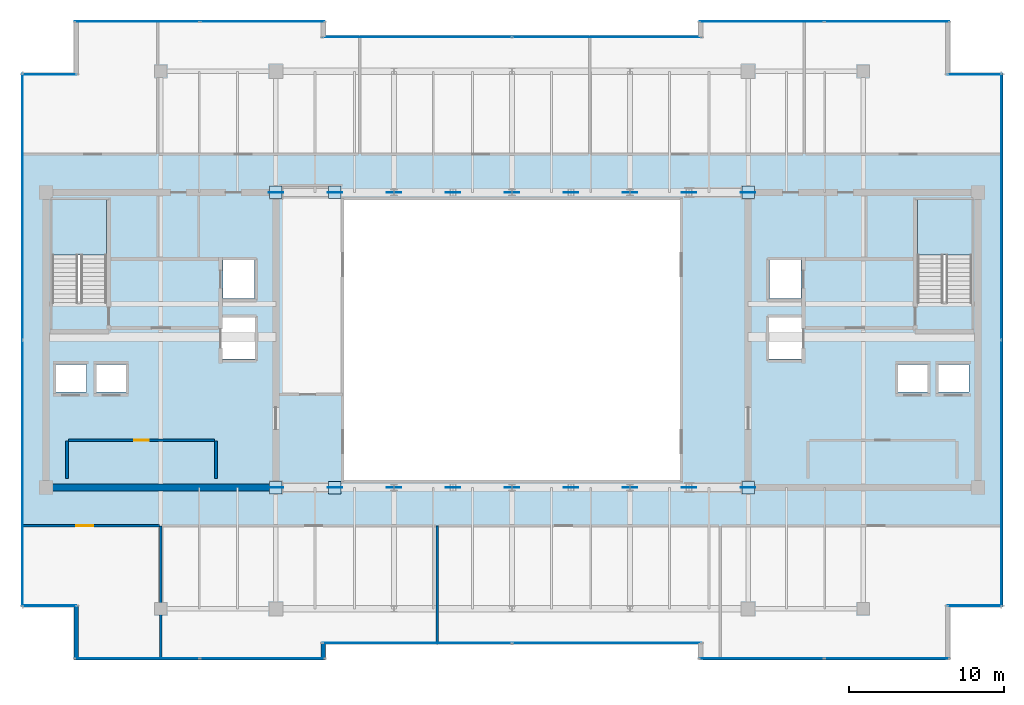
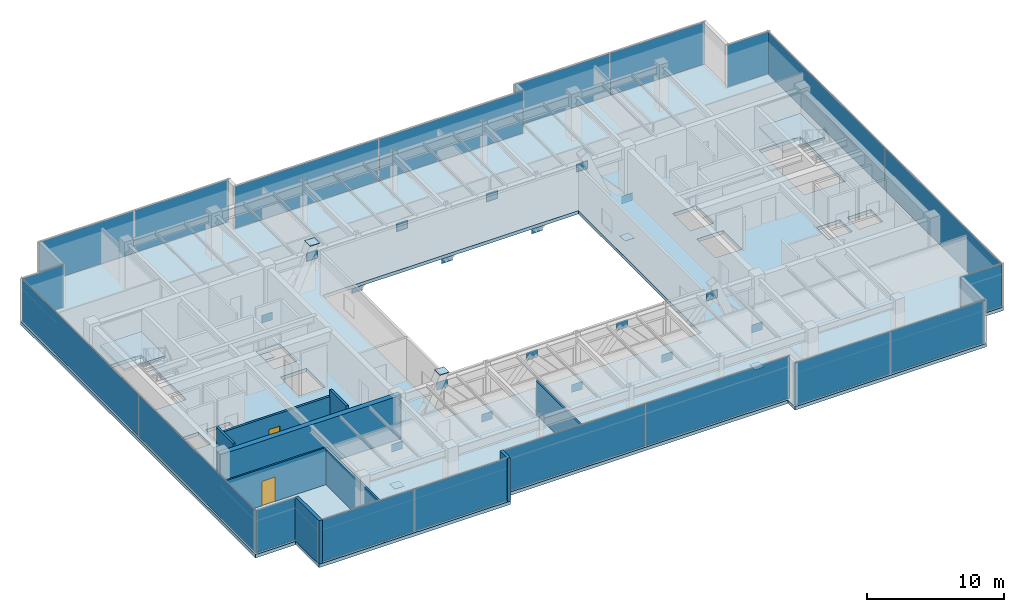
# One storey, part 25 of 32: 44 plates, 9 walls, 3 slabs, 2 doors, 2 openings, 14 elements without a shape of their own.
"""IFC4 building model written with IfcOpenShell, lengths in metres."""

from ifc_helpers import new_model, si_unit, direction, frame, frame_2d, origin, origin_2d, place, context, subcontext, project, spatial, polyline, rectangle, outline, extrude, source, transform, mapped, material, layer, layer_set, type_object, type_shapes, element, fill, aggregate, save


model = new_model("IFC4")

# Units and contexts
model_context = context("Model", 3, precision=1e-05, world=origin(), true_north=direction((0.0, 1.0)))
body_context = subcontext(model_context, "Body", "Model", "MODEL_VIEW")
ifc_project = project(units=[si_unit("LENGTHUNIT", "METRE"), si_unit("AREAUNIT", "SQUARE_METRE"), si_unit("VOLUMEUNIT", "CUBIC_METRE"), si_unit("PLANEANGLEUNIT", "RADIAN"), si_unit("MASSUNIT", "GRAM", prefix="KILO")], contexts=[model_context])

# Site, building, storey
site_placement = place(None, origin())
site = spatial("IfcSite", under=ifc_project, at=site_placement, CompositionType="ELEMENT")
building_placement = place(site_placement, origin())
building = spatial("IfcBuilding", under=site, at=building_placement, Name="Haelvirn Gate Laboratories", CompositionType="ELEMENT")
storey_placement = place(building_placement, frame((0.0, 0.0, 301.800048828125)))
storey = spatial("IfcBuildingStorey", under=building, at=storey_placement, Name="L72", CompositionType="ELEMENT", Elevation=301.800048828125)

# Stair, slab
ifc_material_1 = material(Name="Concrete C40/50", Category="concrete")
stair_type = type_object("IfcStairType", Name="ST-DOG-1650-R24", PredefinedType="HALF_TURN_STAIR", material=ifc_material_1)
stair_1_placement = place(storey_placement, origin())
stair_1 = element("IfcStair", 1, at=stair_1_placement, inside=storey, type_object=stair_type, Name="L72 Escape Stair ST1", PredefinedType="HALF_TURN_STAIR")
ifc_layer_1 = layer(ifc_material_1, 0.199951171875, Name="SL-STAIR-LND")
ifc_layer_set_1 = layer_set([ifc_layer_1], Name="Concrete C40/50")
slab_type_1 = type_object("IfcSlabType", Name="SL-STAIR-LND", PredefinedType="LANDING", material=ifc_layer_set_1)
slab_1_placement = place(storey_placement, frame((0.0, 0.0, 1.89990234375)))
slab_1 = element("IfcSlab", 2, at=slab_1_placement, type_object=slab_type_1, Name="ST1 landing 1", PredefinedType="LANDING", context=body_context, shape_type="SweptSolid", body=[
    extrude(outline(polyline([(11.300048828125, 29.780029296875), (11.300048828125, 33.35009765625), (7.800048828125, 33.35009765625), (7.800048828125, 29.780029296875), (11.300048828125, 29.780029296875)])), origin(), (0.0, 0.0, 1.0), 0.199951171875),
])
aggregate(stair_1, [slab_1])

stair_2_placement = place(storey_placement, origin())
stair_2 = element("IfcStair", 3, at=stair_2_placement, inside=storey, type_object=stair_type, Name="L72 Escape Stair ST2", PredefinedType="HALF_TURN_STAIR")
slab_2_placement = place(storey_placement, frame((0.0, 0.0, 1.89990234375)))
slab_2 = element("IfcSlab", 4, at=slab_2_placement, type_object=slab_type_1, Name="ST2 landing 1", PredefinedType="LANDING", context=body_context, shape_type="SweptSolid", body=[
    extrude(outline(polyline([(67.0, 29.780029296875), (67.0, 33.35009765625), (63.5, 33.35009765625), (63.5, 29.780029296875), (67.0, 29.780029296875)])), origin(), (0.0, 0.0, 1.0), 0.199951171875),
])
aggregate(stair_2, [slab_2])

# Slab
ifc_layer_2 = layer(ifc_material_1, 0.300048828125, Name="SL-Z3-300")
ifc_layer_set_2 = layer_set([ifc_layer_2], Name="Concrete C40/50")
slab_type_2 = type_object("IfcSlabType", Name="SL-Z3-300", PredefinedType="FLOOR", material=ifc_layer_set_2)
slab_3_placement = place(storey_placement, frame((0.0, 0.0, -0.300048828125)))
element("IfcSlab", 5, at=slab_3_placement, inside=storey, type_object=slab_type_2, Name="L72 Structural Slab MAIN", PredefinedType="FLOOR", context=body_context, shape_type="SweptSolid", body=[
    extrude(outline(polyline([(9.199951171875, 3.699951171875), (25.39990234375, 3.699951171875), (25.39990234375, 4.699951171875), (49.39990234375, 4.699951171875), (49.39990234375, 3.699951171875), (65.60009765625, 3.699951171875), (65.60009765625, 7.10009765625), (69.0, 7.10009765625), (69.0, 41.5), (65.60009765625, 41.5), (65.60009765625, 44.89990234375), (49.39990234375, 44.89990234375), (49.39990234375, 43.89990234375), (25.39990234375, 43.89990234375), (25.39990234375, 44.89990234375), (9.199951171875, 44.89990234375), (9.199951171875, 41.5), (5.800048828125, 41.5), (5.800048828125, 7.10009765625), (9.199951171875, 7.10009765625), (9.199951171875, 3.699951171875)]), holes=[polyline([(26.60009765625, 15.300048828125), (48.199951171875, 15.300048828125), (48.199951171875, 33.300048828125), (26.60009765625, 33.300048828125), (26.60009765625, 15.300048828125)]), polyline([(11.300048828125, 26.780029296875), (11.300048828125, 33.35009765625), (7.800048828125, 33.35009765625), (7.800048828125, 26.780029296875), (11.300048828125, 26.780029296875)]), polyline([(67.0, 26.780029296875), (67.0, 33.35009765625), (63.5, 33.35009765625), (63.5, 26.780029296875), (67.0, 26.780029296875)]), polyline([(7.989990234375, 20.969970703125), (10.010009765625, 20.969970703125), (10.010009765625, 22.7099609375), (7.989990234375, 22.7099609375), (7.989990234375, 20.969970703125)]), polyline([(10.590087890625, 20.969970703125), (12.610107421875, 20.969970703125), (12.610107421875, 22.7099609375), (10.590087890625, 22.7099609375), (10.590087890625, 20.969970703125)]), polyline([(18.7900390625, 26.969970703125), (20.81005859375, 26.969970703125), (20.81005859375, 29.510009765625), (18.7900390625, 29.510009765625), (18.7900390625, 26.969970703125)]), polyline([(18.68994140625, 23.070068359375), (20.909912109375, 23.070068359375), (20.909912109375, 25.81005859375), (18.68994140625, 25.81005859375), (18.68994140625, 23.070068359375)]), polyline([(64.7900390625, 20.969970703125), (66.81005859375, 20.969970703125), (66.81005859375, 22.7099609375), (64.7900390625, 22.7099609375), (64.7900390625, 20.969970703125)]), polyline([(62.18994140625, 20.969970703125), (64.2099609375, 20.969970703125), (64.2099609375, 22.7099609375), (62.18994140625, 22.7099609375), (62.18994140625, 20.969970703125)]), polyline([(53.989990234375, 26.969970703125), (56.010009765625, 26.969970703125), (56.010009765625, 29.510009765625), (53.989990234375, 29.510009765625), (53.989990234375, 26.969970703125)]), polyline([(53.889892578125, 23.070068359375), (56.110107421875, 23.070068359375), (56.110107421875, 25.81005859375), (53.889892578125, 25.81005859375), (53.889892578125, 23.070068359375)])]), origin(), (0.0, 0.0, 1.0), 0.300048828125),
])

# Plates
ifc_material_2 = material(Name="Steel SM420", Category="steel")
ifc_layer_3 = layer(ifc_material_2, 0.033935546875, Name="PL-NODE-AN2")
ifc_layer_set_3 = layer_set([ifc_layer_3], Name="Steel SM420")
plate_type_1 = type_object("IfcPlateType", Name="PL-NODE-AN2", PredefinedType="USERDEFINED", material=ifc_layer_set_3)
shared_shape_1 = source(origin(), body_context, "Body", "SweptSolid", [
    extrude(rectangle(XDim=0.919921875, YDim=0.033935546875, at=origin_2d()), origin(), (0.0, 0.0, 1.0), 0.699951171875),
])
type_shapes(plate_type_1, [shared_shape_1])
for number, where, z_axis, x_axis, name in (
    (6, (22.199951171875, 14.800048828125, -1.10009765625), (0.0, 0.0, 1.0), (1.0, 0.0, 0.0), "L72 Steel Truss Node Plate AN2"),
    (7, (26.0, 14.800048828125, 3.10009765625), (0.0, 0.0, 1.0), (1.0, 0.0, 0.0), "L72 Steel Truss Node Plate AN2"),
    (8, (29.800048828125, 14.800048828125, -1.10009765625), (0.0, 0.0, 1.0), (1.0, 0.0, 0.0), "L72 Steel Truss Node Plate AN2"),
    (9, (33.60009765625, 14.800048828125, 3.10009765625), (0.0, 0.0, 1.0), (1.0, 0.0, 0.0), "L72 Steel Truss Node Plate AN2"),
    (10, (37.39990234375, 14.800048828125, -1.10009765625), (0.0, 0.0, 1.0), (1.0, 0.0, 0.0), "L72 Steel Truss Node Plate AN2"),
    (11, (41.199951171875, 14.800048828125, 3.10009765625), (0.0, 0.0, 1.0), (1.0, 0.0, 0.0), "L72 Steel Truss Node Plate AN2"),
    (12, (45.0, 14.800048828125, -1.10009765625), (0.0, 0.0, 1.0), (1.0, 0.0, 0.0), "L72 Steel Truss Node Plate AN2"),
    (13, (48.800048828125, 14.800048828125, 3.10009765625), (0.0, 0.0, 1.0), (1.0, 0.0, 0.0), "L72 Steel Truss Node Plate AN2"),
    (14, (52.60009765625, 14.800048828125, -1.10009765625), (0.0, 0.0, 1.0), (1.0, 0.0, 0.0), "L72 Steel Truss Node Plate AN2"),
    (15, (22.199951171875, 33.800048828125, -1.10009765625), (0.0, 0.0, 1.0), (1.0, 0.0, 0.0), "L72 Steel Truss Node Plate AN2"),
    (16, (26.0, 33.800048828125, 3.10009765625), (0.0, 0.0, 1.0), (1.0, 0.0, 0.0), "L72 Steel Truss Node Plate AN2"),
    (17, (29.800048828125, 33.800048828125, -1.10009765625), (0.0, 0.0, 1.0), (1.0, 0.0, 0.0), "L72 Steel Truss Node Plate AN2"),
    (18, (33.60009765625, 33.800048828125, 3.10009765625), (0.0, 0.0, 1.0), (1.0, 0.0, 0.0), "L72 Steel Truss Node Plate AN2"),
    (19, (37.39990234375, 33.800048828125, -1.10009765625), (0.0, 0.0, 1.0), (1.0, 0.0, 0.0), "L72 Steel Truss Node Plate AN2"),
    (20, (41.199951171875, 33.800048828125, 3.10009765625), (0.0, 0.0, 1.0), (1.0, 0.0, 0.0), "L72 Steel Truss Node Plate AN2"),
    (21, (45.0, 33.800048828125, -1.10009765625), (0.0, 0.0, 1.0), (1.0, 0.0, 0.0), "L72 Steel Truss Node Plate AN2"),
    (22, (48.800048828125, 33.800048828125, 3.10009765625), (0.0, 0.0, 1.0), (1.0, 0.0, 0.0), "L72 Steel Truss Node Plate AN2"),
    (23, (52.60009765625, 33.800048828125, -1.10009765625), (0.0, 0.0, 1.0), (1.0, 0.0, 0.0), "L72 Steel Truss Node Plate AN2"),
):
    element("IfcPlate", number, at=place(storey_placement, frame(where, z_axis=z_axis, x_axis=x_axis)), inside=storey, type_object=plate_type_1, Name=name, ObjectType="GUSSET_PLATE", PredefinedType="USERDEFINED", context=body_context, shape_type="MappedRepresentation", body=[
        mapped(shared_shape_1, transform((0.0, 0.0, 0.0), scale=1.0)),
    ])
ifc_layer_4 = layer(ifc_material_2, 0.035888671875, Name="PL-NODE-AN1")
ifc_layer_set_4 = layer_set([ifc_layer_4], Name="Steel SM420")
plate_type_2 = type_object("IfcPlateType", Name="PL-NODE-AN1", PredefinedType="SHEET", material=ifc_layer_set_4)
shared_shape_2 = source(origin(), body_context, "Body", "SweptSolid", [
    extrude(rectangle(XDim=0.800048828125, YDim=0.800048828125, at=origin_2d()), origin(), (0.0, 0.0, 1.0), 0.035888671875),
])
type_shapes(plate_type_2, [shared_shape_2])
for number, where, z_axis, x_axis, name in (
    (24, (22.199951171875, 14.800048828125, -4.2177734375), (0.0, 0.0, 1.0), (1.0, 0.0, 0.0), "L72 Steel Truss Node Plate AN1"),
    (25, (26.0, 14.800048828125, 4.6416015625), (0.0, 0.0, 1.0), (1.0, 0.0, 0.0), "L72 Steel Truss Node Plate AN1"),
    (26, (52.60009765625, 14.800048828125, -4.2177734375), (0.0, 0.0, 1.0), (1.0, 0.0, 0.0), "L72 Steel Truss Node Plate AN1"),
    (27, (22.199951171875, 33.800048828125, -4.2177734375), (0.0, 0.0, 1.0), (1.0, 0.0, 0.0), "L72 Steel Truss Node Plate AN1"),
    (28, (26.0, 33.800048828125, 4.6416015625), (0.0, 0.0, 1.0), (1.0, 0.0, 0.0), "L72 Steel Truss Node Plate AN1"),
    (29, (52.60009765625, 33.800048828125, -4.2177734375), (0.0, 0.0, 1.0), (1.0, 0.0, 0.0), "L72 Steel Truss Node Plate AN1"),
):
    element("IfcPlate", number, at=place(storey_placement, frame(where, z_axis=z_axis, x_axis=x_axis)), inside=storey, type_object=plate_type_2, Name=name, PredefinedType="SHEET", context=body_context, shape_type="MappedRepresentation", body=[
        mapped(shared_shape_2, transform((0.0, 0.0, 0.0), scale=1.0)),
    ])

# Curtain wall, plates
ifc_material_3 = material(Name="Anodised bronze unitised aluminium & triple low-E glass", Category="aluminium")
ifc_layer_5 = layer(ifc_material_3, 0.176025390625, Name="CW-SYS-4")
ifc_layer_set_5 = layer_set([ifc_layer_5], Name="Anodised bronze unitised aluminium & triple low-E glass")
curtain_wall_type_1 = type_object("IfcCurtainWallType", Name="CW-SYS-4", PredefinedType="NOTDEFINED", material=ifc_layer_set_5)
curtain_wall_1_placement = place(storey_placement, origin())
curtain_wall_1 = element("IfcCurtainWall", 30, at=curtain_wall_1_placement, inside=storey, type_object=curtain_wall_type_1, Name="L72 Unitised Curtain Wall CW-L72-P0-E02-1", PredefinedType="NOTDEFINED")
ifc_material_4 = material(Name="Acoustic laminated bronze triple IGU 36 mm", Category="glass")
ifc_layer_6 = layer(ifc_material_4, 0.035888671875, Name="CWP-IGU-36")
ifc_layer_set_6 = layer_set([ifc_layer_6], Name="Acoustic laminated bronze triple IGU 36 mm")
plate_type_3 = type_object("IfcPlateType", Name="CWP-IGU-36", PredefinedType="CURTAIN_PANEL", material=ifc_layer_set_6)
shared_shape_3 = source(origin(), body_context, "Body", "SweptSolid", [
    extrude(rectangle(XDim=12.135009765625, YDim=0.035888671875, at=origin_2d()), origin(), (0.0, 0.0, 1.0), 3.77001953125),
])
plate_1_placement = place(storey_placement, frame((31.297607421875, 4.800048828125, 0.06494140625), z_axis=(0.0, 0.0, 1.0), x_axis=(1.0, 0.0, 0.0)))
plate_1 = element("IfcPlate", 31, at=plate_1_placement, type_object=plate_type_3, Name="CW4 panel 1.1", PredefinedType="CURTAIN_PANEL", context=body_context, shape_type="MappedRepresentation", body=[
    mapped(shared_shape_3, transform((0.0, 0.0, 0.0), scale=1.0)),
])
plate_2_placement = place(storey_placement, frame((43.50244140625, 4.800048828125, 0.06494140625), z_axis=(0.0, 0.0, 1.0), x_axis=(1.0, 0.0, 0.0)))
plate_2 = element("IfcPlate", 32, at=plate_2_placement, type_object=plate_type_3, Name="CW4 panel 2.1", PredefinedType="CURTAIN_PANEL", context=body_context, shape_type="MappedRepresentation", body=[
    mapped(shared_shape_3, transform((0.0, 0.0, 0.0), scale=1.0)),
])
aggregate(curtain_wall_1, [plate_1, plate_2])

curtain_wall_2_placement = place(storey_placement, origin())
curtain_wall_2 = element("IfcCurtainWall", 33, at=curtain_wall_2_placement, inside=storey, type_object=curtain_wall_type_1, Name="L72 Unitised Curtain Wall CW-L72-P0-E12-1", PredefinedType="NOTDEFINED")
plate_3_placement = place(storey_placement, frame((31.297607421875, 43.800048828125, 0.06494140625), z_axis=(0.0, 0.0, 1.0), x_axis=(1.0, 0.0, 0.0)))
plate_3 = element("IfcPlate", 34, at=plate_3_placement, type_object=plate_type_3, Name="CW4 panel 1.1", PredefinedType="CURTAIN_PANEL", context=body_context, shape_type="MappedRepresentation", body=[
    mapped(shared_shape_3, transform((0.0, 0.0, 0.0), scale=1.0)),
])
plate_4_placement = place(storey_placement, frame((43.50244140625, 43.800048828125, 0.06494140625), z_axis=(0.0, 0.0, 1.0), x_axis=(1.0, 0.0, 0.0)))
plate_4 = element("IfcPlate", 35, at=plate_4_placement, type_object=plate_type_3, Name="CW4 panel 2.1", PredefinedType="CURTAIN_PANEL", context=body_context, shape_type="MappedRepresentation", body=[
    mapped(shared_shape_3, transform((0.0, 0.0, 0.0), scale=1.0)),
])
aggregate(curtain_wall_2, [plate_3, plate_4])

# Curtain wall, plate
ifc_layer_7 = layer(ifc_material_3, 0.181884765625, Name="CW-SYS-5")
ifc_layer_set_7 = layer_set([ifc_layer_7], Name="Anodised bronze unitised aluminium & triple low-E glass")
curtain_wall_type_2 = type_object("IfcCurtainWallType", Name="CW-SYS-5", PredefinedType="NOTDEFINED", material=ifc_layer_set_7)
curtain_wall_3_placement = place(storey_placement, origin())
curtain_wall_3 = element("IfcCurtainWall", 36, at=curtain_wall_3_placement, inside=storey, type_object=curtain_wall_type_2, Name="L72 Unitised Curtain Wall CW-L72-P0-E06-1", PredefinedType="NOTDEFINED")
ifc_material_5 = material(Name="Clear low-iron notched-corner triple IGU 42 mm", Category="glass")
ifc_layer_8 = layer(ifc_material_5, 0.0419921875, Name="CWP-NTC-42")
ifc_layer_set_8 = layer_set([ifc_layer_8], Name="Clear low-iron notched-corner triple IGU 42 mm")
plate_type_4 = type_object("IfcPlateType", Name="CWP-NTC-42", PredefinedType="CURTAIN_PANEL", material=ifc_layer_set_8)
shared_shape_4 = source(origin(), body_context, "Body", "SweptSolid", [
    extrude(rectangle(XDim=3.47998046875, YDim=0.0419921875, at=origin_2d()), origin(), (0.0, 0.0, 1.0), 3.77001953125),
])
type_shapes(plate_type_4, [shared_shape_4])
plate_5_placement = place(storey_placement, frame((67.179931640625, 7.199951171875, 0.06494140625), z_axis=(0.0, 0.0, 1.0), x_axis=(1.0, 0.0, 0.0)))
plate_5 = element("IfcPlate", 37, at=plate_5_placement, type_object=plate_type_4, Name="CW5 panel 1.1", PredefinedType="CURTAIN_PANEL", context=body_context, shape_type="MappedRepresentation", body=[
    mapped(shared_shape_4, transform((0.0, 0.0, 0.0), scale=1.0)),
])
aggregate(curtain_wall_3, [plate_5])

curtain_wall_4_placement = place(storey_placement, origin())
curtain_wall_4 = element("IfcCurtainWall", 38, at=curtain_wall_4_placement, inside=storey, type_object=curtain_wall_type_2, Name="L72 Unitised Curtain Wall CW-L72-P0-E08-1", PredefinedType="NOTDEFINED")
plate_6_placement = place(storey_placement, frame((67.179931640625, 41.39990234375, 0.06494140625), z_axis=(0.0, 0.0, 1.0), x_axis=(1.0, 0.0, 0.0)))
plate_6 = element("IfcPlate", 39, at=plate_6_placement, type_object=plate_type_4, Name="CW5 panel 1.1", PredefinedType="CURTAIN_PANEL", context=body_context, shape_type="MappedRepresentation", body=[
    mapped(shared_shape_4, transform((0.0, 0.0, 0.0), scale=1.0)),
])
aggregate(curtain_wall_4, [plate_6])

curtain_wall_5_placement = place(storey_placement, origin())
curtain_wall_5 = element("IfcCurtainWall", 40, at=curtain_wall_5_placement, inside=storey, type_object=curtain_wall_type_2, Name="L72 Unitised Curtain Wall CW-L72-P0-E16-1", PredefinedType="NOTDEFINED")
plate_7_placement = place(storey_placement, frame((7.6201171875, 41.39990234375, 0.06494140625), z_axis=(0.0, 0.0, 1.0), x_axis=(1.0, 0.0, 0.0)))
plate_7 = element("IfcPlate", 41, at=plate_7_placement, type_object=plate_type_4, Name="CW5 panel 1.1", PredefinedType="CURTAIN_PANEL", context=body_context, shape_type="MappedRepresentation", body=[
    mapped(shared_shape_4, transform((0.0, 0.0, 0.0), scale=1.0)),
])
aggregate(curtain_wall_5, [plate_7])

curtain_wall_6_placement = place(storey_placement, origin())
curtain_wall_6 = element("IfcCurtainWall", 42, at=curtain_wall_6_placement, inside=storey, type_object=curtain_wall_type_2, Name="L72 Unitised Curtain Wall CW-L72-P0-E18-1", PredefinedType="NOTDEFINED")
plate_8_placement = place(storey_placement, frame((7.6201171875, 7.199951171875, 0.06494140625), z_axis=(0.0, 0.0, 1.0), x_axis=(1.0, 0.0, 0.0)))
plate_8 = element("IfcPlate", 43, at=plate_8_placement, type_object=plate_type_4, Name="CW5 panel 1.1", PredefinedType="CURTAIN_PANEL", context=body_context, shape_type="MappedRepresentation", body=[
    mapped(shared_shape_4, transform((0.0, 0.0, 0.0), scale=1.0)),
])
aggregate(curtain_wall_6, [plate_8])

# Curtain wall, plates
curtain_wall_7_placement = place(storey_placement, origin())
curtain_wall_7 = element("IfcCurtainWall", 44, at=curtain_wall_7_placement, inside=storey, type_object=curtain_wall_type_1, Name="L72 Unitised Curtain Wall CW-L72-P0-E07", PredefinedType="NOTDEFINED")
shared_shape_5 = source(origin(), body_context, "Body", "SweptSolid", [
    extrude(rectangle(XDim=17.094970703125, YDim=0.035888671875, at=origin_2d()), origin(), (0.0, 0.0, 1.0), 3.77001953125),
])
plate_9_placement = place(storey_placement, frame((68.89990234375, 15.717529296875, 0.06494140625), z_axis=(0.0, 0.0, 1.0), x_axis=(0.0, 1.0, 0.0)))
plate_9 = element("IfcPlate", 45, at=plate_9_placement, type_object=plate_type_3, Name="CW4 panel 1.1", PredefinedType="CURTAIN_PANEL", context=body_context, shape_type="MappedRepresentation", body=[
    mapped(shared_shape_5, transform((0.0, 0.0, 0.0), scale=1.0)),
])
plate_10_placement = place(storey_placement, frame((68.89990234375, 32.882568359375, 0.06494140625), z_axis=(0.0, 0.0, 1.0), x_axis=(0.0, 1.0, 0.0)))
plate_10 = element("IfcPlate", 46, at=plate_10_placement, type_object=plate_type_3, Name="CW4 panel 2.1", PredefinedType="CURTAIN_PANEL", context=body_context, shape_type="MappedRepresentation", body=[
    mapped(shared_shape_5, transform((0.0, 0.0, 0.0), scale=1.0)),
])
aggregate(curtain_wall_7, [plate_9, plate_10])

curtain_wall_8_placement = place(storey_placement, origin())
curtain_wall_8 = element("IfcCurtainWall", 47, at=curtain_wall_8_placement, inside=storey, type_object=curtain_wall_type_1, Name="L72 Unitised Curtain Wall CW-L72-P0-E17", PredefinedType="NOTDEFINED")
plate_11_placement = place(storey_placement, frame((5.89990234375, 32.882568359375, 0.06494140625), z_axis=(0.0, 0.0, 1.0), x_axis=(0.0, -1.0, 0.0)))
plate_11 = element("IfcPlate", 48, at=plate_11_placement, type_object=plate_type_3, Name="CW4 panel 1.1", PredefinedType="CURTAIN_PANEL", context=body_context, shape_type="MappedRepresentation", body=[
    mapped(shared_shape_5, transform((0.0, 0.0, 0.0), scale=1.0)),
])
plate_12_placement = place(storey_placement, frame((5.89990234375, 15.717529296875, 0.06494140625), z_axis=(0.0, 0.0, 1.0), x_axis=(0.0, -1.0, 0.0)))
plate_12 = element("IfcPlate", 49, at=plate_12_placement, type_object=plate_type_3, Name="CW4 panel 2.1", PredefinedType="CURTAIN_PANEL", context=body_context, shape_type="MappedRepresentation", body=[
    mapped(shared_shape_5, transform((0.0, 0.0, 0.0), scale=1.0)),
])
aggregate(curtain_wall_8, [plate_11, plate_12])

curtain_wall_9_placement = place(storey_placement, origin())
curtain_wall_9 = element("IfcCurtainWall", 50, at=curtain_wall_9_placement, inside=storey, type_object=curtain_wall_type_1, Name="L72 Unitised Curtain Wall CW-L72-P0-E00-1", PredefinedType="NOTDEFINED")
shared_shape_6 = source(origin(), body_context, "Body", "SweptSolid", [
    extrude(rectangle(XDim=7.9951171875, YDim=0.035888671875, at=origin_2d()), origin(), (0.0, 0.0, 1.0), 3.77001953125),
])
type_shapes(plate_type_3, [shared_shape_3, shared_shape_5, shared_shape_6])
plate_13_placement = place(storey_placement, frame((13.267578125, 3.800048828125, 0.06494140625), z_axis=(0.0, 0.0, 1.0), x_axis=(1.0, 0.0, 0.0)))
plate_13 = element("IfcPlate", 51, at=plate_13_placement, type_object=plate_type_3, Name="CW4 panel 1.1", PredefinedType="CURTAIN_PANEL", context=body_context, shape_type="MappedRepresentation", body=[
    mapped(shared_shape_6, transform((0.0, 0.0, 0.0), scale=1.0)),
])
plate_14_placement = place(storey_placement, frame((21.33251953125, 3.800048828125, 0.06494140625), z_axis=(0.0, 0.0, 1.0), x_axis=(1.0, 0.0, 0.0)))
plate_14 = element("IfcPlate", 52, at=plate_14_placement, type_object=plate_type_3, Name="CW4 panel 2.1", PredefinedType="CURTAIN_PANEL", context=body_context, shape_type="MappedRepresentation", body=[
    mapped(shared_shape_6, transform((0.0, 0.0, 0.0), scale=1.0)),
])
aggregate(curtain_wall_9, [plate_13, plate_14])

curtain_wall_10_placement = place(storey_placement, origin())
curtain_wall_10 = element("IfcCurtainWall", 53, at=curtain_wall_10_placement, inside=storey, type_object=curtain_wall_type_1, Name="L72 Unitised Curtain Wall CW-L72-P0-E04-1", PredefinedType="NOTDEFINED")
plate_15_placement = place(storey_placement, frame((53.467529296875, 3.800048828125, 0.06494140625), z_axis=(0.0, 0.0, 1.0), x_axis=(1.0, 0.0, 0.0)))
plate_15 = element("IfcPlate", 54, at=plate_15_placement, type_object=plate_type_3, Name="CW4 panel 1.1", PredefinedType="CURTAIN_PANEL", context=body_context, shape_type="MappedRepresentation", body=[
    mapped(shared_shape_6, transform((0.0, 0.0, 0.0), scale=1.0)),
])
plate_16_placement = place(storey_placement, frame((61.532470703125, 3.800048828125, 0.06494140625), z_axis=(0.0, 0.0, 1.0), x_axis=(1.0, 0.0, 0.0)))
plate_16 = element("IfcPlate", 55, at=plate_16_placement, type_object=plate_type_3, Name="CW4 panel 2.1", PredefinedType="CURTAIN_PANEL", context=body_context, shape_type="MappedRepresentation", body=[
    mapped(shared_shape_6, transform((0.0, 0.0, 0.0), scale=1.0)),
])
aggregate(curtain_wall_10, [plate_15, plate_16])

curtain_wall_11_placement = place(storey_placement, origin())
curtain_wall_11 = element("IfcCurtainWall", 56, at=curtain_wall_11_placement, inside=storey, type_object=curtain_wall_type_1, Name="L72 Unitised Curtain Wall CW-L72-P0-E10-1", PredefinedType="NOTDEFINED")
plate_17_placement = place(storey_placement, frame((53.467529296875, 44.800048828125, 0.06494140625), z_axis=(0.0, 0.0, 1.0), x_axis=(1.0, 0.0, 0.0)))
plate_17 = element("IfcPlate", 57, at=plate_17_placement, type_object=plate_type_3, Name="CW4 panel 1.1", PredefinedType="CURTAIN_PANEL", context=body_context, shape_type="MappedRepresentation", body=[
    mapped(shared_shape_6, transform((0.0, 0.0, 0.0), scale=1.0)),
])
plate_18_placement = place(storey_placement, frame((61.532470703125, 44.800048828125, 0.06494140625), z_axis=(0.0, 0.0, 1.0), x_axis=(1.0, 0.0, 0.0)))
plate_18 = element("IfcPlate", 58, at=plate_18_placement, type_object=plate_type_3, Name="CW4 panel 2.1", PredefinedType="CURTAIN_PANEL", context=body_context, shape_type="MappedRepresentation", body=[
    mapped(shared_shape_6, transform((0.0, 0.0, 0.0), scale=1.0)),
])
aggregate(curtain_wall_11, [plate_17, plate_18])

curtain_wall_12_placement = place(storey_placement, origin())
curtain_wall_12 = element("IfcCurtainWall", 59, at=curtain_wall_12_placement, inside=storey, type_object=curtain_wall_type_1, Name="L72 Unitised Curtain Wall CW-L72-P0-E14-1", PredefinedType="NOTDEFINED")
plate_19_placement = place(storey_placement, frame((13.267578125, 44.800048828125, 0.06494140625), z_axis=(0.0, 0.0, 1.0), x_axis=(1.0, 0.0, 0.0)))
plate_19 = element("IfcPlate", 60, at=plate_19_placement, type_object=plate_type_3, Name="CW4 panel 1.1", PredefinedType="CURTAIN_PANEL", context=body_context, shape_type="MappedRepresentation", body=[
    mapped(shared_shape_6, transform((0.0, 0.0, 0.0), scale=1.0)),
])
plate_20_placement = place(storey_placement, frame((21.33251953125, 44.800048828125, 0.06494140625), z_axis=(0.0, 0.0, 1.0), x_axis=(1.0, 0.0, 0.0)))
plate_20 = element("IfcPlate", 61, at=plate_20_placement, type_object=plate_type_3, Name="CW4 panel 2.1", PredefinedType="CURTAIN_PANEL", context=body_context, shape_type="MappedRepresentation", body=[
    mapped(shared_shape_6, transform((0.0, 0.0, 0.0), scale=1.0)),
])
aggregate(curtain_wall_12, [plate_19, plate_20])

# Walls
ifc_material_6 = material(Name="Thermally-broken bronze aluminium rainscreen & mineral wool", Category="aluminium")
ifc_layer_9 = layer(ifc_material_6, 0.280029296875, Name="EW-TERR-280")
ifc_layer_set_9 = layer_set([ifc_layer_9], Name="Thermally-broken bronze aluminium rainscreen & mineral wool")
wall_type_1 = type_object("IfcWallType", Name="EW-TERR-280", PredefinedType="STANDARD", material=ifc_layer_set_9)
wall_1_placement = place(storey_placement, frame((25.260009765625, 3.699951171875, 0.0), z_axis=(0.0, 0.0, 1.0), x_axis=(0.0, 1.0, 0.0)))
element("IfcWall", 62, at=wall_1_placement, inside=storey, type_object=wall_type_1, Name="L72 Atrium Recess Bronze Return Wall 01", PredefinedType="STANDARD", context=body_context, shape_type="SweptSolid", body=[
    extrude(rectangle(XDim=1.093017578125, YDim=0.280029296875, at=frame_2d((0.54638671875, 0.0))), origin(), (0.0, 0.0, 1.0), 3.89990234375),
])
wall_2_placement = place(storey_placement, frame((9.340087890625, 7.18798828125, 0.0), z_axis=(0.0, 0.0, 1.0), x_axis=(0.0, -1.0, 0.0)))
element("IfcWall", 63, at=wall_2_placement, inside=storey, type_object=wall_type_1, Name="L72 Atrium Recess Bronze Return Wall 19", PredefinedType="STANDARD", context=body_context, shape_type="SweptSolid", body=[
    extrude(rectangle(XDim=3.488037109375, YDim=0.280029296875, at=frame_2d((1.744140625, 0.0))), origin(), (0.0, 0.0, 1.0), 3.89990234375),
])
ifc_material_7 = material(Name="Double-layer acoustic gypsum laboratory partition", Category="gypsum")
ifc_layer_10 = layer(ifc_material_7, 0.159912109375, Name="IW-ACOUST-160")
ifc_layer_set_10 = layer_set([ifc_layer_10], Name="Double-layer acoustic gypsum laboratory partition")
wall_type_2 = type_object("IfcWallType", Name="IW-ACOUST-160", PredefinedType="PARTITIONING", material=ifc_layer_set_10)
wall_3_placement = place(storey_placement, frame((14.800048828125, 3.81005859375, 0.0), z_axis=(0.0, 0.0, 1.0), x_axis=(0.0, 1.0, 0.0)))
element("IfcWall", 64, at=wall_3_placement, inside=storey, type_object=wall_type_2, Name="L72 Interior Wall IW-L72-SDIV-01", PredefinedType="PARTITIONING", context=body_context, shape_type="SweptSolid", body=[
    extrude(rectangle(XDim=8.530029296875, YDim=0.159912109375, at=frame_2d((4.26513671875, 0.0))), origin(), (0.0, 0.0, 1.0), 3.23486328125),
])
wall_4_placement = place(storey_placement, frame((32.60009765625, 4.81005859375, 0.0), z_axis=(0.0, 0.0, 1.0), x_axis=(0.0, 1.0, 0.0)))
element("IfcWall", 65, at=wall_4_placement, inside=storey, type_object=wall_type_2, Name="L72 Interior Wall IW-L72-SDIV-02", PredefinedType="PARTITIONING", context=body_context, shape_type="SweptSolid", body=[
    extrude(rectangle(XDim=7.530029296875, YDim=0.159912109375, at=frame_2d((3.76513671875, 0.0))), origin(), (0.0, 0.0, 1.0), 2.98486328125),
])

# Wall, opening, door
ifc_material_8 = material(Name="Acoustic mineral-wool gypsum board partition", Category="gypsum")
ifc_layer_11 = layer(ifc_material_8, 0.139892578125, Name="IW-PART-140")
ifc_layer_set_11 = layer_set([ifc_layer_11], Name="Acoustic mineral-wool gypsum board partition")
wall_type_3 = type_object("IfcWallType", Name="IW-PART-140", PredefinedType="PARTITIONING", material=ifc_layer_set_11)
wall_5_placement = place(storey_placement, frame((5.909912109375, 12.340087890625, 0.0), z_axis=(0.0, 0.0, 1.0), x_axis=(1.0, 0.0, 0.0)))
wall_5 = element("IfcWall", 66, at=wall_5_placement, inside=storey, type_object=wall_type_3, Name="L72 Interior Wall IW-L72-SCORR-01", PredefinedType="PARTITIONING", context=body_context, shape_type="SweptSolid", body=[
    extrude(rectangle(XDim=8.81005859375, YDim=0.139892578125, at=frame_2d((4.405029296875, 0.0))), origin(), (0.0, 0.0, 1.0), 3.296875),
])
opening_1_placement = place(wall_5_placement, frame((3.434326171875, 0.0, 0.0)))
opening_1 = element("IfcOpeningElement", 67, at=opening_1_placement, cuts=wall_5, Name="Opening D1", PredefinedType="OPENING", context=body_context, shape_type="SweptSolid", body=[
    extrude(rectangle(XDim=1.10009765625, YDim=2.179931640625, at=frame_2d((0.550048828125, 1.08984375))), frame((0.0, 0.080078125, 0.0), z_axis=(0.0, -1.0, 0.0), x_axis=(1.0, 0.0, 0.0)), (0.0, 0.0, 1.0), 0.159912109375),
])
ifc_material_9 = material(Name="Vision-panel acoustic solid-core timber lab door", Category="wood")
door_type_1 = type_object("IfcDoorType", Name="DR-LAB-1100", OperationType="NOTDEFINED", PredefinedType="DOOR", material=ifc_material_9)
shared_shape_7 = source(origin(), body_context, "Body", "SweptSolid", [
    extrude(rectangle(XDim=1.10009765625, YDim=2.179931640625, at=frame_2d((0.550048828125, 1.08984375))), frame((0.0, 0.02490234375, 0.0), z_axis=(0.0, -1.0, 0.0), x_axis=(1.0, 0.0, 0.0)), (0.0, 0.0, 1.0), 0.050048828125),
])
type_shapes(door_type_1, [shared_shape_7])
door_1_placement = place(opening_1_placement, origin())
door_1 = element("IfcDoor", 68, at=door_1_placement, inside=storey, type_object=door_type_1, Name="L72 Translational Data Office Door S1", OperationType="SINGLE_SWING_LEFT", OverallHeight=2.179931640625, OverallWidth=1.10009765625, PredefinedType="DOOR", context=body_context, shape_type="MappedRepresentation", body=[
    mapped(shared_shape_7, transform((0.0, 0.0, 0.0), scale=1.0)),
])
fill(opening_1, door_1)

ifc_layer_12 = layer(ifc_material_1, 0.179931640625, Name="IW-SHAFT-180")
ifc_layer_set_12 = layer_set([ifc_layer_12], Name="Concrete C40/50")
wall_type_4 = type_object("IfcWallType", Name="IW-SHAFT-180", PredefinedType="SOLIDWALL", material=ifc_layer_set_12)
wall_6_placement = place(storey_placement, frame((8.85009765625, 17.85009765625, 0.0), z_axis=(0.0, 0.0, 1.0), x_axis=(1.0, 0.0, 0.0)))
wall_6 = element("IfcWall", 69, at=wall_6_placement, inside=storey, type_object=wall_type_4, Name="L72 Interior Wall IW-L72-W-FREED-HN-1", PredefinedType="SOLIDWALL", context=body_context, shape_type="SweptSolid", body=[
    extrude(rectangle(XDim=9.39990234375, YDim=0.179931640625, at=frame_2d((4.699951171875, 0.0))), origin(), (0.0, 0.0, 1.0), 3.296875),
])
opening_2_placement = place(wall_6_placement, frame((4.22509765625, 0.0, 0.0)))
opening_2 = element("IfcOpeningElement", 70, at=opening_2_placement, cuts=wall_6, Name="Opening FD4", PredefinedType="OPENING", context=body_context, shape_type="SweptSolid", body=[
    extrude(rectangle(XDim=0.949951171875, YDim=2.14990234375, at=frame_2d((0.47509765625, 1.074951171875))), frame((0.0, 0.10009765625, 0.0), z_axis=(0.0, -1.0, 0.0), x_axis=(1.0, 0.0, 0.0)), (0.0, 0.0, 1.0), 0.199951171875),
])
ifc_material_10 = material(Name="Fire-rated steel SM355 core service door", Category="steel")
door_type_2 = type_object("IfcDoorType", Name="DR-FD-950", OperationType="NOTDEFINED", PredefinedType="DOOR", material=ifc_material_10)
shared_shape_8 = source(origin(), body_context, "Body", "SweptSolid", [
    extrude(rectangle(XDim=0.949951171875, YDim=2.14990234375, at=frame_2d((0.47509765625, 1.074951171875))), frame((0.0, 0.02490234375, 0.0), z_axis=(0.0, -1.0, 0.0), x_axis=(1.0, 0.0, 0.0)), (0.0, 0.0, 1.0), 0.050048828125),
])
type_shapes(door_type_2, [shared_shape_8])
door_2_placement = place(opening_2_placement, origin())
door_2 = element("IfcDoor", 71, at=door_2_placement, inside=storey, type_object=door_type_2, Name="L72 Core Metrology & Calibration Laboratory Door", OperationType="SINGLE_SWING_LEFT", OverallHeight=2.14990234375, OverallWidth=0.949951171875, PredefinedType="DOOR", context=body_context, shape_type="MappedRepresentation", body=[
    mapped(shared_shape_8, transform((0.0, 0.0, 0.0), scale=1.0)),
])
fill(opening_2, door_2)

# Walls
for number, where, z_axis, x_axis, name in (
    (72, (18.340087890625, 15.39990234375, 0.0), (0.0, 0.0, 1.0), (0.0, 1.0, 0.0), "L72 Interior Wall IW-L72-W-FREED-HE-1"),
    (73, (8.760009765625, 15.39990234375, 0.0), (0.0, 0.0, 1.0), (0.0, 1.0, 0.0), "L72 Interior Wall IW-L72-W-FREED-HW-1"),
):
    element("IfcWall", number, at=place(storey_placement, frame(where, z_axis=z_axis, x_axis=x_axis)), inside=storey, type_object=wall_type_4, Name=name, PredefinedType="SOLIDWALL", context=body_context, shape_type="SweptSolid", body=[
        extrude(rectangle(XDim=2.400146484375, YDim=0.179931640625, at=frame_2d((1.2001953125, 0.0))), origin(), (0.0, 0.0, 1.0), 3.89990234375),
    ])
ifc_material_11 = material(Name="Concrete C50/60", Category="concrete")
ifc_layer_13 = layer(ifc_material_11, 0.449951171875, Name="SW-CORE-450")
ifc_layer_set_13 = layer_set([ifc_layer_13], Name="Concrete C50/60")
wall_type_5 = type_object("IfcWallType", Name="SW-CORE-450", PredefinedType="SHEAR", material=ifc_layer_set_13)
wall_7_placement = place(storey_placement, frame((7.175048828125, 14.800048828125, 0.0), z_axis=(0.0, 0.0, 1.0), x_axis=(1.0, 0.0, 0.0)))
element("IfcWall", 74, at=wall_7_placement, inside=storey, type_object=wall_type_5, Name="L72 W Core Shear Wall S", PredefinedType="SHEAR", context=body_context, shape_type="SweptSolid", body=[
    extrude(rectangle(XDim=15.25, YDim=0.449951171875, at=frame_2d((7.625, 0.0))), origin(), (0.0, 0.0, 1.0), 3.89990234375),
])

save(model, "model.ifc")
